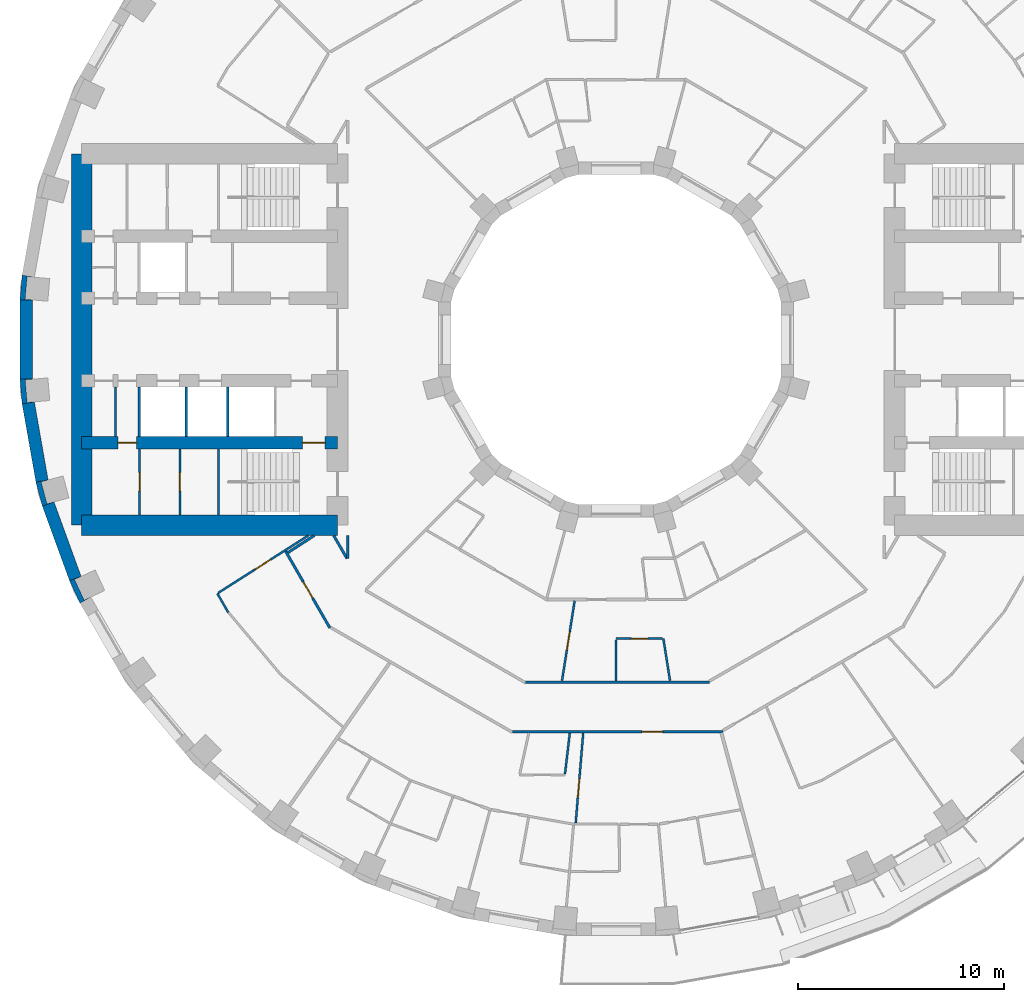
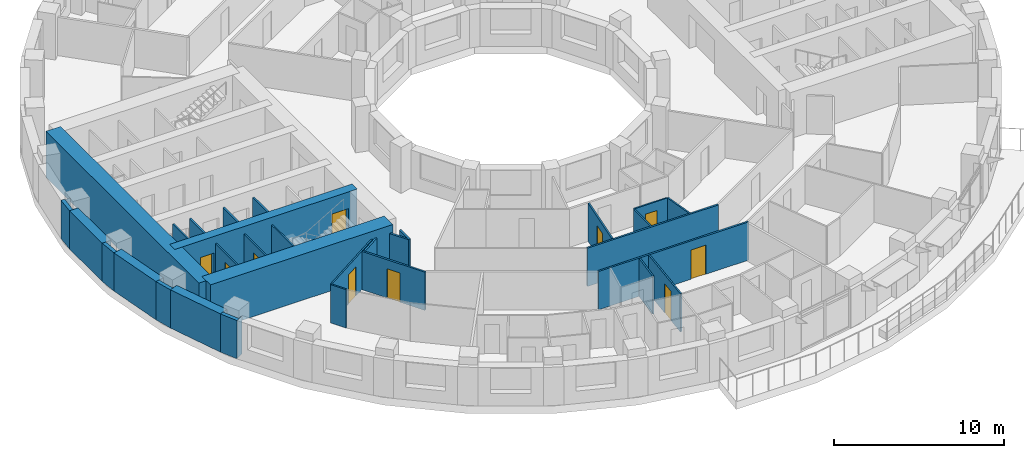
# One storey, part 6 of 17: 31 walls, 10 doors, 10 openings.
"""IFC4 building model written with IfcOpenShell, lengths in metres."""

from ifc_helpers import new_model, si_unit, direction, frame, frame_2d, origin, place, context, subcontext, project, spatial, polyline, rectangle, outline, extrude, material, layer, layer_set, type_object, element, fill, save


model = new_model("IFC4")

# Units and contexts
model_context = context("Model", 3, precision=1e-05, world=origin(), true_north=direction((0.0, 1.0)))
body_context = subcontext(model_context, "Body", "Model", "MODEL_VIEW")
ifc_project = project(units=[si_unit("LENGTHUNIT", "METRE"), si_unit("AREAUNIT", "SQUARE_METRE"), si_unit("VOLUMEUNIT", "CUBIC_METRE"), si_unit("PLANEANGLEUNIT", "RADIAN"), si_unit("MASSUNIT", "GRAM", prefix="KILO")], contexts=[model_context])

# Site, building, storey
site_placement = place(None, origin())
site = spatial("IfcSite", under=ifc_project, at=site_placement, CompositionType="ELEMENT")
building_placement = place(site_placement, origin())
building = spatial("IfcBuilding", under=site, at=building_placement, Name="Saqina Gate Tower", CompositionType="ELEMENT")
storey_placement = place(building_placement, frame((0.0, 0.0, 29.60009765625)))
storey = spatial("IfcBuildingStorey", under=building, at=storey_placement, Name="L07", CompositionType="ELEMENT", Elevation=29.60009765625)

# Walls
ifc_material_1 = material(Name="Brick masonry (red)", Category="masonry")
wall_type_1 = type_object("IfcWallType", Name="BRICK PIER COPING RED", PredefinedType="SOLIDWALL", material=ifc_material_1)
wall_1_placement = place(storey_placement, origin())
element("IfcWall", 1, at=wall_1_placement, inside=storey, type_object=wall_type_1, Name="Pier cap L07 column 18", PredefinedType="SOLIDWALL", context=body_context, shape_type="SweptSolid", body=[
    extrude(outline(polyline([(-28.78466796875, 3.122802734375), (-28.8896484375, 1.9228515625), (-28.28955078125, 1.9228515625), (-28.638671875, 1.95361328125), (-28.54296875, 3.04931640625), (-28.19384765625, 3.018798828125), (-28.78466796875, 3.122802734375)])), origin(), (0.0, 0.0, 1.0), 2.75),
])
wall_2_placement = place(storey_placement, origin())
element("IfcWall", 2, at=wall_2_placement, inside=storey, type_object=wall_type_1, Name="Pier cap L07 column 19", PredefinedType="SOLIDWALL", context=body_context, shape_type="SweptSolid", body=[
    extrude(outline(polyline([(-28.8896484375, -1.9228515625), (-28.78466796875, -3.122802734375), (-28.19384765625, -3.018798828125), (-28.54296875, -3.04931640625), (-28.638671875, -1.95361328125), (-28.28955078125, -1.9228515625), (-28.8896484375, -1.9228515625)])), origin(), (0.0, 0.0, 1.0), 2.75),
])
wall_3_placement = place(storey_placement, origin())
element("IfcWall", 3, at=wall_3_placement, inside=storey, type_object=wall_type_1, Name="Pier cap L07 column 20", PredefinedType="SOLIDWALL", context=body_context, shape_type="SweptSolid", body=[
    extrude(outline(polyline([(-28.11669921875, -6.910400390625), (-27.80517578125, -8.073974609375), (-27.2412109375, -7.86865234375), (-27.57958984375, -7.95947265625), (-27.864501953125, -6.896728515625), (-27.52587890625, -6.80615234375), (-28.11669921875, -6.910400390625)])), origin(), (0.0, 0.0, 1.0), 2.75),
])
wall_4_placement = place(storey_placement, origin())
element("IfcWall", 4, at=wall_4_placement, inside=storey, type_object=wall_type_1, Name="Pier cap L07 column 21", PredefinedType="SOLIDWALL", context=body_context, shape_type="SweptSolid", body=[
    extrude(outline(polyline([(-25.980712890625, -12.779541015625), (-25.4609375, -12.4794921875), (-25.778564453125, -12.627685546875), (-26.243408203125, -11.630615234375), (-25.92578125, -11.482666015625), (-26.48974609375, -11.687744140625), (-25.980712890625, -12.779541015625)])), origin(), (0.0, 0.0, 1.0), 2.75),
])
ifc_material_2 = material(Name="Gypsum board on steel studs", Category="steel")
ifc_layer_1 = layer(ifc_material_2, 0.10009765625)
ifc_layer_set_1 = layer_set([ifc_layer_1], Name="CORE PARTITION")
wall_type_2 = type_object("IfcWallType", Name="CORE PARTITION", PredefinedType="PARTITIONING", material=ifc_layer_set_1)
wall_5_placement = place(storey_placement, frame((-24.260009765625, -4.699951171875, 0.0), z_axis=(0.0, 0.0, 1.0), x_axis=(0.0, 1.0, 0.0)))
element("IfcWall", 5, at=wall_5_placement, inside=storey, type_object=wall_type_2, Name="L07-CP-W09", PredefinedType="PARTITIONING", context=body_context, shape_type="SweptSolid", body=[
    extrude(rectangle(XDim=2.39990234375, YDim=0.10009765625, at=frame_2d((1.199951171875, 0.0))), origin(), (0.0, 0.0, 1.0), 2.75),
])

# Wall, opening, door
wall_6_placement = place(storey_placement, frame((-21.14404296875, -8.5, 0.0), z_axis=(0.0, 0.0, 1.0), x_axis=(0.0, 1.0, 0.0)))
wall_6 = element("IfcWall", 6, at=wall_6_placement, inside=storey, type_object=wall_type_2, Name="L07-CP-W15", PredefinedType="PARTITIONING", context=body_context, shape_type="SweptSolid", body=[
    extrude(rectangle(XDim=3.199951171875, YDim=0.10009765625, at=frame_2d((1.60009765625, 0.0))), origin(), (0.0, 0.0, 1.0), 2.75),
])
opening_1_placement = place(wall_6_placement, frame((1.14990234375, 0.0, 0.0)))
opening_1 = element("IfcOpeningElement", 7, at=opening_1_placement, cuts=wall_6, Name="Opening G01-D134", PredefinedType="OPENING", context=body_context, shape_type="SweptSolid", body=[
    extrude(rectangle(XDim=0.89990234375, YDim=2.10009765625, at=frame_2d((0.449951171875, 1.050048828125))), frame((0.0, 0.06201171875, 0.0), z_axis=(0.0, -1.0, 0.0), x_axis=(1.0, 0.0, 0.0)), (0.0, 0.0, 1.0), 0.1240234375),
])
ifc_material_3 = material(Name="Steel-framed fire door leaf, EI 60", Category="steel")
door_type_1 = type_object("IfcDoorType", Name="SERVICE ROOM DOOR 900", OperationType="SINGLE_SWING_LEFT", PredefinedType="DOOR", material=ifc_material_3)
door_1_placement = place(opening_1_placement, origin())
door_1 = element("IfcDoor", 8, at=door_1_placement, inside=storey, type_object=door_type_1, Name="L07-CD-W31", OperationType="SINGLE_SWING_LEFT", OverallHeight=2.10009765625, OverallWidth=0.89990234375, PredefinedType="DOOR", context=body_context, shape_type="SweptSolid", body=[
    extrude(rectangle(XDim=0.89990234375, YDim=2.10009765625, at=frame_2d((0.449951171875, 1.050048828125))), frame((0.0, 0.02490234375, 0.0), z_axis=(0.0, -1.0, 0.0), x_axis=(1.0, 0.0, 0.0)), (0.0, 0.0, 1.0), 0.050048828125),
])
fill(opening_1, door_1)

wall_7_placement = place(storey_placement, frame((-23.089599609375, -8.5, 0.0), z_axis=(0.0, 0.0, 1.0), x_axis=(0.0, 1.0, 0.0)))
wall_7 = element("IfcWall", 9, at=wall_7_placement, inside=storey, type_object=wall_type_2, Name="L07-CP-W16", PredefinedType="PARTITIONING", context=body_context, shape_type="SweptSolid", body=[
    extrude(rectangle(XDim=3.199951171875, YDim=0.10009765625, at=frame_2d((1.60009765625, 0.0))), origin(), (0.0, 0.0, 1.0), 2.75),
])
opening_2_placement = place(wall_7_placement, frame((1.14990234375, 0.0, 0.0)))
opening_2 = element("IfcOpeningElement", 10, at=opening_2_placement, cuts=wall_7, Name="Opening G01-D133", PredefinedType="OPENING", context=body_context, shape_type="SweptSolid", body=[
    extrude(rectangle(XDim=0.89990234375, YDim=2.10009765625, at=frame_2d((0.449951171875, 1.050048828125))), frame((0.0, 0.06201171875, 0.0), z_axis=(0.0, -1.0, 0.0), x_axis=(1.0, 0.0, 0.0)), (0.0, 0.0, 1.0), 0.1240234375),
])
door_2_placement = place(opening_2_placement, origin())
door_2 = element("IfcDoor", 11, at=door_2_placement, inside=storey, type_object=door_type_1, Name="L07-CD-W30", OperationType="SINGLE_SWING_LEFT", OverallHeight=2.10009765625, OverallWidth=0.89990234375, PredefinedType="DOOR", context=body_context, shape_type="SweptSolid", body=[
    extrude(rectangle(XDim=0.89990234375, YDim=2.10009765625, at=frame_2d((0.449951171875, 1.050048828125))), frame((0.0, 0.02490234375, 0.0), z_axis=(0.0, -1.0, 0.0), x_axis=(1.0, 0.0, 0.0)), (0.0, 0.0, 1.0), 0.050048828125),
])
fill(opening_2, door_2)

# Walls
ifc_material_4 = material(Name="Glazed ceramic tile", Category="ceramic")
ifc_layer_2 = layer(ifc_material_4, 0.60009765625)
ifc_layer_set_2 = layer_set([ifc_layer_2], Name="FW-TILE")
wall_type_3 = type_object("IfcWallType", Name="FW-TILE", PredefinedType="SOLIDWALL", material=ifc_layer_set_2)
wall_8_placement = place(storey_placement, frame((-28.589599609375, 1.9228515625, 0.0), z_axis=(0.0, 0.0, 1.0), x_axis=(0.0, -1.0, 0.0)))
element("IfcWall", 12, at=wall_8_placement, inside=storey, type_object=wall_type_3, Name="Facade wall L07 facet 18", PredefinedType="SOLIDWALL", context=body_context, shape_type="SweptSolid", body=[
    extrude(rectangle(XDim=3.845703125, YDim=0.60009765625, at=frame_2d((1.9228515625, 0.0))), origin(), (0.0, 0.0, 1.0), 2.75),
])
wall_9_placement = place(storey_placement, frame((-27.523193359375, -7.97119140625, 0.0), z_axis=(0.0, 0.0, 1.0), x_axis=(0.342028474173, -0.939689588564, 0.0)))
element("IfcWall", 13, at=wall_9_placement, inside=storey, type_object=wall_type_3, Name="Facade wall L07 facet 20", PredefinedType="SOLIDWALL", context=body_context, shape_type="SweptSolid", body=[
    extrude(rectangle(XDim=3.845947265625, YDim=0.60009765625, at=frame_2d((1.9228515625, 0.0))), origin(), (0.0, 0.0, 1.0), 2.75),
])
ifc_material_5 = material(Name="Glazed ceramic tile (dark blue)", Category="ceramic")
ifc_layer_3 = layer(ifc_material_5, 0.60009765625)
ifc_layer_set_3 = layer_set([ifc_layer_3], Name="FW-TILE-CB")
wall_type_4 = type_object("IfcWallType", Name="FW-TILE-CB", PredefinedType="SOLIDWALL", material=ifc_layer_set_3)
wall_10_placement = place(storey_placement, frame((-28.4892578125, -3.07080078125, 0.0), z_axis=(0.0, 0.0, 1.0), x_axis=(0.173687553279, -0.984800809218, 0.0)))
element("IfcWall", 14, at=wall_10_placement, inside=storey, type_object=wall_type_4, Name="Facade wall L07 facet 19", PredefinedType="SOLIDWALL", context=body_context, shape_type="SweptSolid", body=[
    extrude(rectangle(XDim=3.845703125, YDim=0.60009765625, at=frame_2d((1.9228515625, 0.0))), origin(), (0.0, 0.0, 1.0), 2.75),
])
ifc_material_6 = material(Name="Gypsum board on steel studs, 100 mm", Category="steel")
ifc_layer_4 = layer(ifc_material_6, 0.10009765625)
ifc_layer_set_4 = layer_set([ifc_layer_4], Name="PARTITION 100")
wall_type_5 = type_object("IfcWallType", Name="PARTITION 100", PredefinedType="PARTITIONING", material=ifc_layer_set_4)
wall_11_placement = place(storey_placement, frame((2.294921875, -14.5, 0.0), z_axis=(0.0, 0.0, 1.0), x_axis=(0.156163049852, -0.987731290312, 0.0)))
element("IfcWall", 15, at=wall_11_placement, inside=storey, type_object=wall_type_5, Name="PARTITION PW3-08", PredefinedType="PARTITIONING", context=body_context, shape_type="SweptSolid", body=[
    extrude(rectangle(XDim=2.063720703125, YDim=0.10009765625, at=frame_2d((1.03173828125, 0.0))), origin(), (0.0, 0.0, 1.0), 2.75),
])
wall_12_placement = place(storey_placement, frame((-19.324951171875, -12.306884765625, 0.0), z_axis=(0.0, 0.0, 1.0), x_axis=(0.499069511817, -0.866561955301, 0.0)))
element("IfcWall", 16, at=wall_12_placement, inside=storey, type_object=wall_type_5, Name="PARTITION PW3-23", PredefinedType="PARTITIONING", context=body_context, shape_type="SweptSolid", body=[
    extrude(rectangle(XDim=1.0576171875, YDim=0.10009765625, at=frame_2d((0.52880859375, 0.0))), origin(), (0.0, 0.0, 1.0), 2.75),
])

# Wall, opening, door
wall_13_placement = place(storey_placement, frame((0.0, -14.5, 0.0), z_axis=(0.0, 0.0, 1.0), x_axis=(1.0, 0.0, 0.0)))
wall_13 = element("IfcWall", 17, at=wall_13_placement, inside=storey, type_object=wall_type_5, Name="PARTITION PW3-58", PredefinedType="PARTITIONING", context=body_context, shape_type="SweptSolid", body=[
    extrude(rectangle(XDim=2.2451171875, YDim=0.10009765625, at=frame_2d((1.12255859375, 0.0))), origin(), (0.0, 0.0, 1.0), 2.75),
])
opening_3_placement = place(wall_13_placement, frame((0.74755859375, 0.0, 0.0)))
opening_3 = element("IfcOpeningElement", 18, at=opening_3_placement, cuts=wall_13, Name="Opening G01-D56", PredefinedType="OPENING", context=body_context, shape_type="SweptSolid", body=[
    extrude(rectangle(XDim=0.800048828125, YDim=2.10009765625, at=frame_2d((0.39990234375, 1.050048828125))), frame((0.0, 0.06201171875, 0.0), z_axis=(0.0, -1.0, 0.0), x_axis=(1.0, 0.0, 0.0)), (0.0, 0.0, 1.0), 0.1240234375),
])
ifc_material_7 = material(Name="Timber door leaf, 800 mm", Category="wood")
door_type_2 = type_object("IfcDoorType", Name="DOOR 800 TIMBER", OperationType="SINGLE_SWING_LEFT", PredefinedType="DOOR", material=ifc_material_7)
door_3_placement = place(opening_3_placement, origin())
door_3 = element("IfcDoor", 19, at=door_3_placement, inside=storey, type_object=door_type_2, Name="DOOR G01-D56", OperationType="SINGLE_SWING_RIGHT", OverallHeight=2.10009765625, OverallWidth=0.800048828125, PredefinedType="DOOR", context=body_context, shape_type="SweptSolid", body=[
    extrude(rectangle(XDim=0.800048828125, YDim=2.10009765625, at=frame_2d((0.39990234375, 1.050048828125))), frame((0.0, 0.02490234375, 0.0), z_axis=(0.0, -1.0, 0.0), x_axis=(1.0, 0.0, 0.0)), (0.0, 0.0, 1.0), 0.050048828125),
])
fill(opening_3, door_3)

wall_14_placement = place(storey_placement, frame((-19.28271484375, -12.280029296875, 0.0), z_axis=(0.0, 0.0, 1.0), x_axis=(0.843445789111, 0.537214296935, 0.0)))
wall_14 = element("IfcWall", 20, at=wall_14_placement, inside=storey, type_object=wall_type_5, Name="PARTITION PW3-84", PredefinedType="PARTITIONING", context=body_context, shape_type="SweptSolid", body=[
    extrude(rectangle(XDim=5.1748046875, YDim=0.10009765625, at=frame_2d((2.58740234375, 0.0))), origin(), (0.0, 0.0, 1.0), 2.75),
])
opening_4_placement = place(wall_14_placement, frame((2.112548828125, 0.0, 0.0)))
opening_4 = element("IfcOpeningElement", 21, at=opening_4_placement, cuts=wall_14, Name="Opening G01-D40", PredefinedType="OPENING", context=body_context, shape_type="SweptSolid", body=[
    extrude(rectangle(XDim=0.89990234375, YDim=2.10009765625, at=frame_2d((0.449951171875, 1.050048828125))), frame((0.0, 0.06201171875, 0.0), z_axis=(0.0, -1.0, 0.0), x_axis=(1.0, 0.0, 0.0)), (0.0, 0.0, 1.0), 0.1240234375),
])
ifc_material_8 = material(Name="Timber door leaf, 900 mm", Category="wood")
door_type_3 = type_object("IfcDoorType", Name="DOOR 900 TIMBER", OperationType="SINGLE_SWING_LEFT", PredefinedType="DOOR", material=ifc_material_8)
door_4_placement = place(opening_4_placement, origin())
door_4 = element("IfcDoor", 22, at=door_4_placement, inside=storey, type_object=door_type_3, Name="DOOR G01-D40", OperationType="SINGLE_SWING_LEFT", OverallHeight=2.10009765625, OverallWidth=0.89990234375, PredefinedType="DOOR", context=body_context, shape_type="SweptSolid", body=[
    extrude(rectangle(XDim=0.89990234375, YDim=2.10009765625, at=frame_2d((0.449951171875, 1.050048828125))), frame((0.0, 0.02490234375, 0.0), z_axis=(0.0, -1.0, 0.0), x_axis=(1.0, 0.0, 0.0)), (0.0, 0.0, 1.0), 0.050048828125),
])
fill(opening_4, door_4)

wall_15_placement = place(storey_placement, frame((-2.619140625, -16.538330078125, 0.0), z_axis=(0.0, 0.0, 1.0), x_axis=(0.15625323836, 0.987717027039, 0.0)))
wall_15 = element("IfcWall", 23, at=wall_15_placement, inside=storey, type_object=wall_type_5, Name="PARTITION PW3-114", PredefinedType="PARTITIONING", context=body_context, shape_type="SweptSolid", body=[
    extrude(rectangle(XDim=3.9248046875, YDim=0.10009765625, at=frame_2d((1.96240234375, 0.0))), origin(), (0.0, 0.0, 1.0), 2.75),
])
opening_5_placement = place(wall_15_placement, frame((1.512451171875, 0.0, 0.0)))
opening_5 = element("IfcOpeningElement", 24, at=opening_5_placement, cuts=wall_15, Name="Opening G01-D50", PredefinedType="OPENING", context=body_context, shape_type="SweptSolid", body=[
    extrude(rectangle(XDim=0.89990234375, YDim=2.10009765625, at=frame_2d((0.449951171875, 1.050048828125))), frame((0.0, 0.06201171875, 0.0), z_axis=(0.0, -1.0, 0.0), x_axis=(1.0, 0.0, 0.0)), (0.0, 0.0, 1.0), 0.1240234375),
])
door_5_placement = place(opening_5_placement, frame((0.89990234375, 0.0, 0.0), z_axis=(0.0, 0.0, 1.0), x_axis=(-1.0, 0.0, 0.0)))
door_5 = element("IfcDoor", 25, at=door_5_placement, inside=storey, type_object=door_type_3, Name="DOOR G01-D50", OperationType="SINGLE_SWING_LEFT", OverallHeight=2.10009765625, OverallWidth=0.89990234375, PredefinedType="DOOR", context=body_context, shape_type="SweptSolid", body=[
    extrude(rectangle(XDim=0.89990234375, YDim=2.10009765625, at=frame_2d((0.449951171875, 1.050048828125))), frame((0.0, 0.02490234375, 0.0), z_axis=(0.0, -1.0, 0.0), x_axis=(1.0, 0.0, 0.0)), (0.0, 0.0, 1.0), 0.050048828125),
])
fill(opening_5, door_5)

# Wall
wall_16_placement = place(storey_placement, frame((-2.47412109375, -21.05029296875, 0.0), z_axis=(0.0, 0.0, 1.0), x_axis=(0.116827096483, 0.993152269054, 0.0)))
element("IfcWall", 26, at=wall_16_placement, inside=storey, type_object=wall_type_5, Name="PARTITION PW3-116", PredefinedType="PARTITIONING", context=body_context, shape_type="SweptSolid", body=[
    extrude(rectangle(XDim=2.001953125, YDim=0.10009765625, at=frame_2d((1.0009765625, 0.0))), origin(), (0.0, 0.0, 1.0), 2.75),
])

# Wall, opening, door
wall_17_placement = place(storey_placement, frame((-1.955810546875, -23.440185546875, 0.0), z_axis=(0.0, 0.0, 1.0), x_axis=(0.083247839263, 0.996528874272, 0.0)))
wall_17 = element("IfcWall", 27, at=wall_17_placement, inside=storey, type_object=wall_type_5, Name="PARTITION PW3-119", PredefinedType="PARTITIONING", context=body_context, shape_type="SweptSolid", body=[
    extrude(rectangle(XDim=4.39306640625, YDim=0.10009765625, at=frame_2d((2.196533203125, 0.0))), origin(), (0.0, 0.0, 1.0), 2.75),
])
opening_6_placement = place(wall_17_placement, frame((1.252685546875, 0.0, 0.0)))
opening_6 = element("IfcOpeningElement", 28, at=opening_6_placement, cuts=wall_17, Name="Opening G01-D52", PredefinedType="OPENING", context=body_context, shape_type="SweptSolid", body=[
    extrude(rectangle(XDim=0.89990234375, YDim=2.10009765625, at=frame_2d((0.449951171875, 1.050048828125))), frame((0.0, 0.06201171875, 0.0), z_axis=(0.0, -1.0, 0.0), x_axis=(1.0, 0.0, 0.0)), (0.0, 0.0, 1.0), 0.1240234375),
])
door_6_placement = place(opening_6_placement, origin())
door_6 = element("IfcDoor", 29, at=door_6_placement, inside=storey, type_object=door_type_3, Name="DOOR G01-D52", OperationType="SINGLE_SWING_RIGHT", OverallHeight=2.10009765625, OverallWidth=0.89990234375, PredefinedType="DOOR", context=body_context, shape_type="SweptSolid", body=[
    extrude(rectangle(XDim=0.89990234375, YDim=2.10009765625, at=frame_2d((0.449951171875, 1.050048828125))), frame((0.0, 0.02490234375, 0.0), z_axis=(0.0, -1.0, 0.0), x_axis=(1.0, 0.0, 0.0)), (0.0, 0.0, 1.0), 0.050048828125),
])
fill(opening_6, door_6)

# Wall
wall_18_placement = place(storey_placement, frame((0.0, -16.53759765625, 0.0), z_axis=(0.0, 0.0, 1.0), x_axis=(0.0, 1.0, 0.0)))
element("IfcWall", 30, at=wall_18_placement, inside=storey, type_object=wall_type_5, Name="PARTITION PW3-120", PredefinedType="PARTITIONING", context=body_context, shape_type="SweptSolid", body=[
    extrude(rectangle(XDim=1.987548828125, YDim=0.10009765625, at=frame_2d((0.99365234375, 0.0))), origin(), (0.0, 0.0, 1.0), 2.75),
])

# Wall, opening, door
ifc_material_9 = material(Name="Gypsum board on steel studs, 125 mm, fire rated", Category="steel")
ifc_layer_5 = layer(ifc_material_9, 0.125)
ifc_layer_set_5 = layer_set([ifc_layer_5], Name="PARTITION EI 30 125")
wall_type_6 = type_object("IfcWallType", Name="PARTITION EI 30 125", PredefinedType="PARTITIONING", material=ifc_layer_set_5)
wall_19_placement = place(storey_placement, frame((-16.0166015625, -10.259033203125, 0.0), z_axis=(0.0, 0.0, 1.0), x_axis=(0.50007738471, -0.865980721091, 0.0)))
wall_19 = element("IfcWall", 31, at=wall_19_placement, inside=storey, type_object=wall_type_6, Name="PARTITION PW1-02", PredefinedType="PARTITIONING", context=body_context, shape_type="SweptSolid", body=[
    extrude(rectangle(XDim=4.286865234375, YDim=0.125, at=frame_2d((2.1435546875, 0.0))), origin(), (0.0, 0.0, 1.0), 2.75),
])
opening_7_placement = place(wall_19_placement, frame((1.716796875, 0.0, 0.0)))
opening_7 = element("IfcOpeningElement", 32, at=opening_7_placement, cuts=wall_19, Name="Opening G01-D41", PredefinedType="OPENING", context=body_context, shape_type="SweptSolid", body=[
    extrude(rectangle(XDim=0.89990234375, YDim=2.10009765625, at=frame_2d((0.449951171875, 1.050048828125))), frame((0.0, 0.074462890625, 0.0), z_axis=(0.0, -1.0, 0.0), x_axis=(1.0, 0.0, 0.0)), (0.0, 0.0, 1.0), 0.14892578125),
])
ifc_material_10 = material(Name="Fire door leaf EI 30, 900 mm")
door_type_4 = type_object("IfcDoorType", Name="DOOR 900 EI 30", OperationType="SINGLE_SWING_LEFT", PredefinedType="DOOR", material=ifc_material_10)
door_7_placement = place(opening_7_placement, frame((0.89990234375, 0.0, 0.0), z_axis=(0.0, 0.0, 1.0), x_axis=(-1.0, 0.0, 0.0)))
door_7 = element("IfcDoor", 33, at=door_7_placement, inside=storey, type_object=door_type_4, Name="DOOR G01-D41", OperationType="SINGLE_SWING_LEFT", OverallHeight=2.10009765625, OverallWidth=0.89990234375, PredefinedType="DOOR", context=body_context, shape_type="SweptSolid", body=[
    extrude(rectangle(XDim=0.89990234375, YDim=2.10009765625, at=frame_2d((0.449951171875, 1.050048828125))), frame((0.0, 0.02490234375, 0.0), z_axis=(0.0, -1.0, 0.0), x_axis=(1.0, 0.0, 0.0)), (0.0, 0.0, 1.0), 0.050048828125),
])
fill(opening_7, door_7)

# Wall
wall_20_placement = place(storey_placement, frame((-13.68310546875, -9.5, 0.0), z_axis=(0.0, 0.0, 1.0), x_axis=(0.500018234033, -0.866014876105, 0.0)))
element("IfcWall", 34, at=wall_20_placement, inside=storey, type_object=wall_type_6, Name="PARTITION PW1-03", PredefinedType="PARTITIONING", context=body_context, shape_type="SweptSolid", body=[
    extrude(rectangle(XDim=1.2861328125, YDim=0.125, at=frame_2d((0.64306640625, 0.0))), origin(), (0.0, 0.0, 1.0), 2.75),
])

# Wall, opening, door
wall_21_placement = place(storey_placement, frame((-5.028564453125, -19.0, 0.0), z_axis=(0.0, 0.0, 1.0), x_axis=(1.0, 0.0, 0.0)))
wall_21 = element("IfcWall", 35, at=wall_21_placement, inside=storey, type_object=wall_type_6, Name="PARTITION PW1-26", PredefinedType="PARTITIONING", context=body_context, shape_type="SweptSolid", body=[
    extrude(rectangle(XDim=10.2060546875, YDim=0.125, at=frame_2d((5.10302734375, 0.0))), origin(), (0.0, 0.0, 1.0), 2.75),
])
opening_8_placement = place(wall_21_placement, frame((6.281494140625, 0.0, 0.0)))
opening_8 = element("IfcOpeningElement", 36, at=opening_8_placement, cuts=wall_21, Name="Opening G01-D57", PredefinedType="OPENING", context=body_context, shape_type="SweptSolid", body=[
    extrude(rectangle(XDim=1.0, YDim=2.10009765625, at=frame_2d((0.5, 1.050048828125))), frame((0.0, 0.074462890625, 0.0), z_axis=(0.0, -1.0, 0.0), x_axis=(1.0, 0.0, 0.0)), (0.0, 0.0, 1.0), 0.14892578125),
])
ifc_material_11 = material(Name="Fire door leaf EI 30, 1000 mm")
door_type_5 = type_object("IfcDoorType", Name="DOOR 1000 EI 30", OperationType="SINGLE_SWING_LEFT", PredefinedType="DOOR", material=ifc_material_11)
door_8_placement = place(opening_8_placement, frame((1.0, 0.0, 0.0), z_axis=(0.0, 0.0, 1.0), x_axis=(-1.0, 0.0, 0.0)))
door_8 = element("IfcDoor", 37, at=door_8_placement, inside=storey, type_object=door_type_5, Name="DOOR G01-D57", OperationType="SINGLE_SWING_LEFT", OverallHeight=2.10009765625, OverallWidth=1.0, PredefinedType="DOOR", context=body_context, shape_type="SweptSolid", body=[
    extrude(rectangle(XDim=1.0, YDim=2.10009765625, at=frame_2d((0.5, 1.050048828125))), frame((0.0, 0.02490234375, 0.0), z_axis=(0.0, -1.0, 0.0), x_axis=(1.0, 0.0, 0.0)), (0.0, 0.0, 1.0), 0.050048828125),
])
fill(opening_8, door_8)

# Walls
wall_22_placement = place(storey_placement, frame((-4.385498046875, -16.60009765625, 0.0), z_axis=(0.0, 0.0, 1.0), x_axis=(1.0, 0.0, 0.0)))
element("IfcWall", 38, at=wall_22_placement, inside=storey, type_object=wall_type_6, Name="PARTITION PW1-27", PredefinedType="PARTITIONING", context=body_context, shape_type="SweptSolid", body=[
    extrude(rectangle(XDim=8.90576171875, YDim=0.125, at=frame_2d((4.452880859375, 0.0))), origin(), (0.0, 0.0, 1.0), 2.75),
])
wall_23_placement = place(storey_placement, frame((-15.904541015625, -10.327880859375, 0.0), z_axis=(0.0, 0.0, 1.0), x_axis=(0.83882853689, 0.544395706908, 0.0)))
element("IfcWall", 39, at=wall_23_placement, inside=storey, type_object=wall_type_6, Name="PARTITION PW1-44", PredefinedType="PARTITIONING", context=body_context, shape_type="SweptSolid", body=[
    extrude(rectangle(XDim=1.520751953125, YDim=0.125, at=frame_2d((0.76025390625, 0.0))), origin(), (0.0, 0.0, 1.0), 2.75),
])
wall_24_placement = place(storey_placement, frame((-13.0, -10.62060546875, 0.0), z_axis=(0.0, 0.0, 1.0), x_axis=(0.0, 1.0, 0.0)))
element("IfcWall", 40, at=wall_24_placement, inside=storey, type_object=wall_type_6, Name="PARTITION PW1-55", PredefinedType="PARTITIONING", context=body_context, shape_type="SweptSolid", body=[
    extrude(rectangle(XDim=1.12060546875, YDim=0.125, at=frame_2d((0.560302734375, 0.0))), origin(), (0.0, 0.0, 1.0), 2.75),
])
ifc_material_12 = material(Name="Autoclaved aerated concrete block", Category="concrete")
ifc_layer_6 = layer(ifc_material_12, 0.1201171875)
ifc_layer_set_6 = layer_set([ifc_layer_6], Name="SHAFT PARTITION")
wall_type_7 = type_object("IfcWallType", Name="SHAFT PARTITION", PredefinedType="PARTITIONING", material=ifc_layer_set_6)
for number, where, z_axis, x_axis, name in (
    (41, (-18.81005859375, -4.699951171875, 0.0), (0.0, 0.0, 1.0), (0.0, 1.0, 0.0), "L07-CP-W06"),
    (42, (-20.840087890625, -4.699951171875, 0.0), (0.0, 0.0, 1.0), (0.0, 1.0, 0.0), "L07-CP-W07"),
    (43, (-23.1201171875, -4.699951171875, 0.0), (0.0, 0.0, 1.0), (0.0, 1.0, 0.0), "L07-CP-W08"),
):
    element("IfcWall", number, at=place(storey_placement, frame(where, z_axis=z_axis, x_axis=x_axis)), inside=storey, type_object=wall_type_7, Name=name, PredefinedType="PARTITIONING", context=body_context, shape_type="SweptSolid", body=[
        extrude(rectangle(XDim=2.39990234375, YDim=0.1201171875, at=frame_2d((1.199951171875, 0.0))), origin(), (0.0, 0.0, 1.0), 2.75),
    ])
ifc_material_13 = material(Name="Autoclaved aerated concrete block", Category="concrete")
ifc_layer_7 = layer(ifc_material_13, 0.10009765625)
ifc_layer_set_7 = layer_set([ifc_layer_7], Name="STAIR ENCLOSURE WALL")
wall_type_8 = type_object("IfcWallType", Name="STAIR ENCLOSURE WALL", PredefinedType="PARTITIONING", material=ifc_layer_set_7)
wall_25_placement = place(storey_placement, frame((-19.27001953125, -8.5, 0.0), z_axis=(0.0, 0.0, 1.0), x_axis=(0.0, 1.0, 0.0)))
element("IfcWall", 44, at=wall_25_placement, inside=storey, type_object=wall_type_8, Name="L07-CP-W14", PredefinedType="PARTITIONING", context=body_context, shape_type="SweptSolid", body=[
    extrude(rectangle(XDim=3.199951171875, YDim=0.10009765625, at=frame_2d((1.60009765625, 0.0))), origin(), (0.0, 0.0, 1.0), 2.75),
])

# Wall, openings, doors
ifc_material_14 = material(Name="Concrete C70/85", Category="concrete")
ifc_layer_8 = layer(ifc_material_14, 0.60009765625)
ifc_layer_set_8 = layer_set([ifc_layer_8], Name="Concrete C70/85")
wall_type_9 = type_object("IfcWallType", Name="STR-CORE WALL-A-I", PredefinedType="SHEAR", material=ifc_layer_set_8)
wall_26_placement = place(storey_placement, frame((-13.5, -5.0, 0.0), z_axis=(0.0, 0.0, 1.0), x_axis=(-1.0, 0.0, 0.0)))
wall_26 = element("IfcWall", 45, at=wall_26_placement, inside=storey, type_object=wall_type_9, Name="CORE WALL L07 W-X2", PredefinedType="SHEAR", context=body_context, shape_type="SweptSolid", body=[
    extrude(rectangle(XDim=12.39990234375, YDim=0.60009765625, at=frame_2d((6.199951171875, 0.0))), origin(), (0.0, 0.0, 1.0), 3.2998046875),
])
opening_9_placement = place(wall_26_placement, frame((9.739990234375, 0.0, 0.0)))
opening_9 = element("IfcOpeningElement", 46, at=opening_9_placement, cuts=wall_26, Name="Opening G01-D135", PredefinedType="OPENING", context=body_context, shape_type="SweptSolid", body=[
    extrude(rectangle(XDim=0.89990234375, YDim=2.10009765625, at=frame_2d((0.449951171875, 1.050048828125))), frame((0.0, 0.31201171875, 0.0), z_axis=(0.0, -1.0, 0.0), x_axis=(1.0, 0.0, 0.0)), (0.0, 0.0, 1.0), 0.6240234375),
])
opening_10_placement = place(wall_26_placement, frame((0.60009765625, 0.0, 0.0)))
opening_10 = element("IfcOpeningElement", 47, at=opening_10_placement, cuts=wall_26, Name="Opening G01-D122", PredefinedType="OPENING", context=body_context, shape_type="SweptSolid", body=[
    extrude(rectangle(XDim=1.10009765625, YDim=2.10009765625, at=frame_2d((0.550048828125, 1.050048828125))), frame((0.0, 0.31201171875, 0.0), z_axis=(0.0, -1.0, 0.0), x_axis=(1.0, 0.0, 0.0)), (0.0, 0.0, 1.0), 0.6240234375),
])
ifc_material_15 = material(Name="Steel", Category="steel")
door_type_6 = type_object("IfcDoorType", Name="FIRE LOBBY DOOR EI 60 WIDE", OperationType="SINGLE_SWING_LEFT", PredefinedType="DOOR", material=ifc_material_15)
door_9_placement = place(opening_10_placement, origin())
door_9 = element("IfcDoor", 48, at=door_9_placement, inside=storey, type_object=door_type_6, Name="L07-CD-W33", OperationType="SINGLE_SWING_LEFT", OverallHeight=2.10009765625, OverallWidth=1.10009765625, PredefinedType="DOOR", context=body_context, shape_type="SweptSolid", body=[
    extrude(rectangle(XDim=1.10009765625, YDim=2.10009765625, at=frame_2d((0.550048828125, 1.050048828125))), frame((0.0, 0.02490234375, 0.0), z_axis=(0.0, -1.0, 0.0), x_axis=(1.0, 0.0, 0.0)), (0.0, 0.0, 1.0), 0.050048828125),
])
fill(opening_10, door_9)
door_10_placement = place(opening_9_placement, origin())
door_10 = element("IfcDoor", 49, at=door_10_placement, inside=storey, type_object=door_type_1, Name="L07-CD-W32", OperationType="SINGLE_SWING_LEFT", OverallHeight=2.10009765625, OverallWidth=0.89990234375, PredefinedType="DOOR", context=body_context, shape_type="SweptSolid", body=[
    extrude(rectangle(XDim=0.89990234375, YDim=2.10009765625, at=frame_2d((0.449951171875, 1.050048828125))), frame((0.0, 0.02490234375, 0.0), z_axis=(0.0, -1.0, 0.0), x_axis=(1.0, 0.0, 0.0)), (0.0, 0.0, 1.0), 0.050048828125),
])
fill(opening_9, door_10)

# Walls
ifc_material_16 = material(Name="Concrete C70/85", Category="concrete")
ifc_layer_9 = layer(ifc_material_16, 1.0)
ifc_layer_set_9 = layer_set([ifc_layer_9], Name="Concrete C70/85")
wall_type_10 = type_object("IfcWallType", Name="STR-CORE WALL-A-O", PredefinedType="SHEAR", material=ifc_layer_set_9)
wall_27_placement = place(storey_placement, frame((-25.89990234375, -9.0, 0.0), z_axis=(0.0, 0.0, 1.0), x_axis=(0.0, 1.0, 0.0)))
element("IfcWall", 50, at=wall_27_placement, inside=storey, type_object=wall_type_10, Name="CORE WALL L07 W-W2", PredefinedType="SHEAR", context=body_context, shape_type="SweptSolid", body=[
    extrude(rectangle(XDim=18.0, YDim=1.0, at=frame_2d((9.0, 0.0))), origin(), (0.0, 0.0, 1.0), 3.2998046875),
])
wall_28_placement = place(storey_placement, frame((-13.5, -9.0, 0.0), z_axis=(0.0, 0.0, 1.0), x_axis=(-1.0, 0.0, 0.0)))
element("IfcWall", 51, at=wall_28_placement, inside=storey, type_object=wall_type_10, Name="CORE WALL L07 W-SE", PredefinedType="SHEAR", context=body_context, shape_type="SweptSolid", body=[
    extrude(rectangle(XDim=12.39990234375, YDim=1.0, at=frame_2d((6.199951171875, 0.0))), origin(), (0.0, 0.0, 1.0), 3.2998046875),
])

save(model, "model.ifc")
